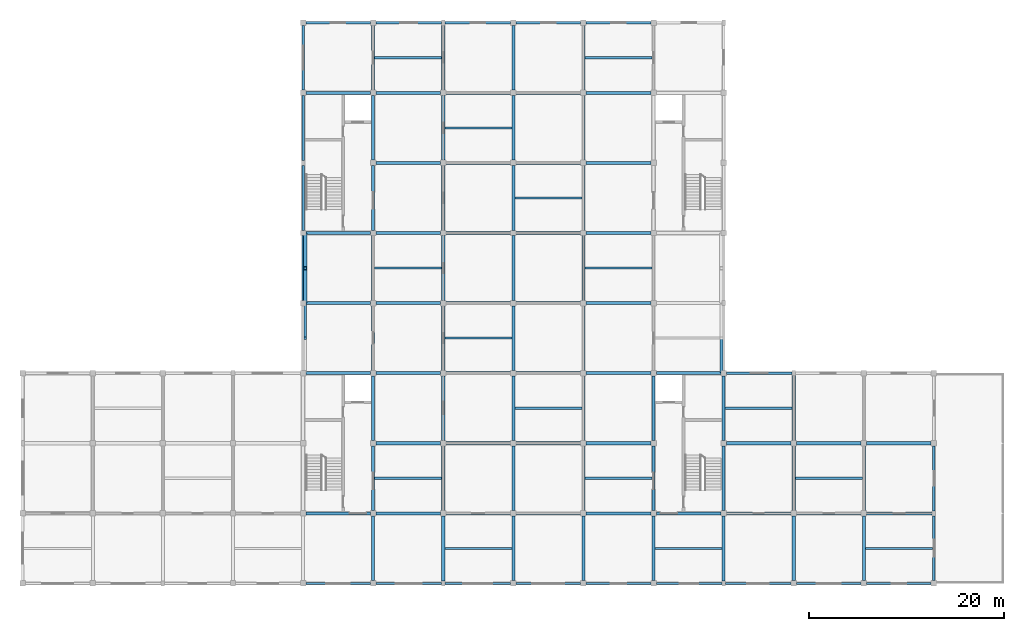
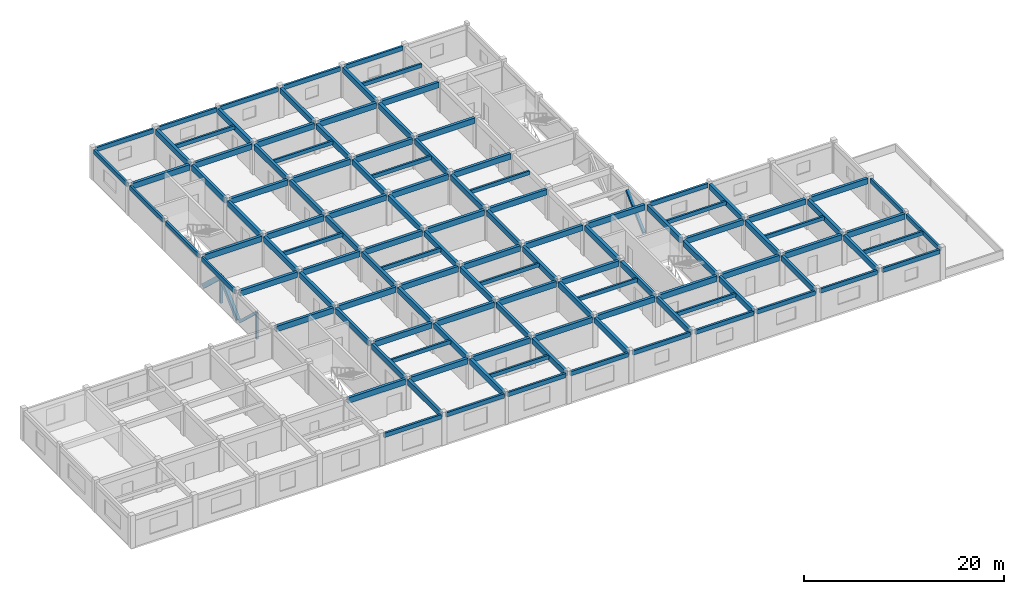
# One storey, part 2 of 10: 120 beams, 6 members.
"""IFC4 building model written with IfcOpenShell, lengths in metres."""

import ifcopenshell
import ifcopenshell.guid

model = None  # the IFC model being written
_history = None  # IfcOwnerHistory: only IFC2X3 demands one
_inside = {}  # id of a spatial element -> (the spatial element, [elements in it])
_under = {}  # id of a project, library or spatial element -> (it, [spatial elements below it])
_declared = {}  # id of a project -> (the project, [libraries it declares])
_typed = {}  # id of a type object -> (the type object, [elements of that type])
_made_of = {}  # id of a material, layer set ... -> (it, [elements and type objects made of it])


def new_model(schema):
    """Start an empty IFC model of exactly this schema.

    Asked for "IFC4X3", IfcOpenShell would pick the latest addendum, in which some entities
    have other attributes; the version numbers below select the first issue.
    IFC2X3 requires an IfcOwnerHistory on every rooted entity: one is made here for all.
    """
    global model, _history
    if schema == "IFC4X3":
        model = ifcopenshell.file(schema_version=(4, 3, 0, 0))
    else:
        model = ifcopenshell.file(schema=schema)
    _inside.clear()
    _under.clear()
    _declared.clear()
    _typed.clear()
    _made_of.clear()
    _history = None
    if model.schema == "IFC2X3":
        org = make("IfcOrganization", Name="unknown")
        user = make(
            "IfcPersonAndOrganization",
            ThePerson=make("IfcPerson", FamilyName="unknown"),
            TheOrganization=org,
        )
        app = make(
            "IfcApplication",
            ApplicationDeveloper=org,
            Version="unknown",
            ApplicationFullName="unknown",
            ApplicationIdentifier="unknown",
        )
        _history = make(
            "IfcOwnerHistory",
            OwningUser=user,
            OwningApplication=app,
            ChangeAction="ADDED",
            CreationDate=0,
        )
    return model


def make(cls, **values):
    """One entity of the class cls with the attributes given. An attribute that is None is left unset."""
    return model.create_entity(
        cls, **{name: value for name, value in values.items() if value is not None}
    )


def rooted(cls, **values):
    """An entity with a GlobalId (a new one), such as an element, a storey or a relation."""
    return make(cls, GlobalId=ifcopenshell.guid.new(), OwnerHistory=_history, **values)


def si_unit(unit_type, name, prefix=None):
    """IfcSIUnit, for example si_unit("LENGTHUNIT", "METRE", prefix="MILLI")."""
    return make("IfcSIUnit", UnitType=unit_type, Prefix=prefix, Name=name)


def assignment(units):
    """IfcUnitAssignment: the units of a project."""
    return None if units is None else make("IfcUnitAssignment", Units=units)


def point(xyz):
    """IfcCartesianPoint."""
    return None if xyz is None else make("IfcCartesianPoint", Coordinates=xyz)


def direction(xyz):
    """IfcDirection."""
    return None if xyz is None else make("IfcDirection", DirectionRatios=xyz)


def frame(location, z_axis=None, x_axis=None):
    """IfcAxis2Placement3D, a coordinate frame: its origin and axes. An axis left out is left unset."""
    return make(
        "IfcAxis2Placement3D",
        Location=point(location),
        Axis=direction(z_axis),
        RefDirection=direction(x_axis),
    )


def frame_2d(location, x_axis=None):
    """IfcAxis2Placement2D, a coordinate frame in the plane: its origin and x axis."""
    return make(
        "IfcAxis2Placement2D", Location=point(location), RefDirection=direction(x_axis)
    )


def origin():
    """The frame at (0, 0, 0) with its axes left unset."""
    return frame((0.0, 0.0, 0.0))


def origin_2d():
    """The frame at (0, 0) in the plane with its x axis left unset."""
    return frame_2d((0.0, 0.0))


def place(relative_to, where):
    """IfcLocalPlacement: puts the frame where relative to a parent placement (None: the world)."""
    return make(
        "IfcLocalPlacement", PlacementRelTo=relative_to, RelativePlacement=where
    )


def context(
    kind, dimensions, precision=None, world=None, true_north=None, identifier=None
):
    """IfcGeometricRepresentationContext, for example the 3D "Model" context."""
    return make(
        "IfcGeometricRepresentationContext",
        ContextIdentifier=identifier,
        ContextType=kind,
        CoordinateSpaceDimension=dimensions,
        Precision=precision,
        WorldCoordinateSystem=world,
        TrueNorth=true_north,
    )


def subcontext(parent, identifier, kind, view, scale=None):
    """IfcGeometricRepresentationSubContext, for example "Body" below "Model"."""
    return make(
        "IfcGeometricRepresentationSubContext",
        ContextIdentifier=identifier,
        ContextType=kind,
        ParentContext=parent,
        TargetScale=scale,
        TargetView=view,
    )


def project(units=None, contexts=None):
    """IfcProject with its units and contexts."""
    return rooted(
        "IfcProject",
        Name="project",
        RepresentationContexts=contexts,
        UnitsInContext=assignment(units),
    )


def spatial(cls, under=None, at=None, **own):
    """A site, building, storey or space (cls), placed at a placement, below another one or the project."""
    s = rooted(cls, ObjectPlacement=at, **own)
    if under is not None:
        _under.setdefault(under.id(), (under, []))[1].append(s)
    return s


def profile(cls, at=None, kind="AREA", **sizes):
    """A parametric profile (cls). Its sizes go by their IFC names, for example OverallWidth=200.0."""
    return make(cls, ProfileType=kind, Position=at, **sizes)


def rectangle(**sizes):
    """IfcRectangleProfileDef."""
    return profile("IfcRectangleProfileDef", **sizes)


def extrude(swept, where, along, depth):
    """IfcExtrudedAreaSolid: the profile swept, set in the frame where, extruded along a direction by depth."""
    return make(
        "IfcExtrudedAreaSolid",
        SweptArea=swept,
        Position=where,
        ExtrudedDirection=direction(along),
        Depth=depth,
    )


def shape(context_of_items, identifier, shape_type, items):
    """IfcShapeRepresentation: the items that make up one representation, for example the "Body"."""
    return make(
        "IfcShapeRepresentation",
        ContextOfItems=context_of_items,
        RepresentationIdentifier=identifier,
        RepresentationType=shape_type,
        Items=items,
    )


def material(Name=None, Category=None):
    """IfcMaterial."""
    return make("IfcMaterial", Name=Name, Category=Category)


def material_profile(
    of_material, cross_section, Name=None, Category=None, Priority=None
):
    """IfcMaterialProfile: a cross section and its material."""
    return make(
        "IfcMaterialProfile",
        Name=Name,
        Material=of_material,
        Profile=cross_section,
        Priority=Priority,
        Category=Category,
    )


def profile_set(profiles, Name=None, composite=None):
    """IfcMaterialProfileSet."""
    return make(
        "IfcMaterialProfileSet",
        Name=Name,
        MaterialProfiles=profiles,
        CompositeProfile=composite,
    )


def made_of(thing, what):
    """Note that an element or type object is made of a material, layer set ...; save() writes the relation."""
    if what is not None:
        _made_of.setdefault(what.id(), (what, []))[1].append(thing)
    return thing


def type_object(cls, material=None, **own):
    """A type object (cls), such as IfcWallType, which elements share."""
    return made_of(rooted(cls, **own), material)


def element(
    cls,
    number,
    at=None,
    inside=None,
    cuts=None,
    type_object=None,
    material=None,
    context=None,
    identifier="Body",
    shape_type=None,
    held_by="IfcProductDefinitionShape",
    body=None,
    shapes=None,
    **own,
):
    """One element of the class cls, such as IfcWall. Its Tag is "e" and its number.

    at: its placement. inside: the storey or other place that contains it. cuts: it is an
    opening in that element (IfcRelVoidsElement). A single representation is given by context,
    identifier, shape_type and body (its items); several are given by shapes. held_by: the class
    of the entity that holds the representations. save() writes the other relations.
    """
    e = rooted(cls, Tag="e%d" % number, ObjectPlacement=at, **own)
    if body is not None:
        shapes = [shape(context, identifier, shape_type, body)]
    if shapes is not None:
        e.Representation = make(held_by, Representations=shapes)
    if inside is not None:
        _inside.setdefault(inside.id(), (inside, []))[1].append(e)
    if cuts is not None:
        rooted(
            "IfcRelVoidsElement", RelatingBuildingElement=cuts, RelatedOpeningElement=e
        )
    if type_object is not None:
        _typed.setdefault(type_object.id(), (type_object, []))[1].append(e)
    return made_of(e, material)


def aggregate(whole, parts):
    """IfcRelAggregates: a whole, such as a stair, and the parts it consists of."""
    return rooted("IfcRelAggregates", RelatingObject=whole, RelatedObjects=parts)


def save(model, path):
    """Write the relations noted so far, then the file.

    IfcRelAggregates (storeys below a building ...), IfcRelContainedInSpatialStructure (elements
    in a storey), IfcRelDefinesByType, IfcRelAssociatesMaterial and IfcRelDeclares: one each for
    every whole, place, type object, material and project.
    """
    for whole, parts in _under.values():
        aggregate(whole, parts)
    for where, things in _inside.values():
        rooted(
            "IfcRelContainedInSpatialStructure",
            RelatedElements=things,
            RelatingStructure=where,
        )
    for kind, things in _typed.values():
        rooted("IfcRelDefinesByType", RelatedObjects=things, RelatingType=kind)
    for what, things in _made_of.values():
        rooted("IfcRelAssociatesMaterial", RelatedObjects=things, RelatingMaterial=what)
    for by, libraries in _declared.values():
        rooted("IfcRelDeclares", RelatingContext=by, RelatedDefinitions=libraries)
    model.write(path)


model = new_model("IFC4")

# Units and contexts
model_context = context("Model", 3, precision=1e-05, world=origin(), true_north=direction((0.0, 1.0)))
body_context = subcontext(model_context, "Body", "Model", "MODEL_VIEW")
ifc_project = project(units=[si_unit("LENGTHUNIT", "METRE"), si_unit("AREAUNIT", "SQUARE_METRE"), si_unit("VOLUMEUNIT", "CUBIC_METRE"), si_unit("PLANEANGLEUNIT", "RADIAN"), si_unit("MASSUNIT", "GRAM", prefix="KILO")], contexts=[model_context])

# Site, building, storey
site_placement = place(None, origin())
site = spatial("IfcSite", under=ifc_project, at=site_placement, CompositionType="ELEMENT")
building_placement = place(site_placement, origin())
building = spatial("IfcBuilding", under=site, at=building_placement, Name="Cendaluz Park School", CompositionType="ELEMENT")
storey_placement = place(building_placement, frame((0.0, 0.0, 34.800048828125)))
storey = spatial("IfcBuildingStorey", under=building, at=storey_placement, Name="L08", CompositionType="ELEMENT", Elevation=34.800048828125)

# Beams
ifc_material_1 = material(Name="Glulam GL28h", Category="wood")
ifc_material_profile_1 = material_profile(ifc_material_1, rectangle(XDim=0.320068359375, YDim=0.679931640625, at=origin_2d()), Name="GL28h 320x680", Category="wood")
ifc_profile_set_1 = profile_set([ifc_material_profile_1], Name="Glulam GL28h")
beam_type_1 = type_object("IfcBeamType", Name="BM-GL01", PredefinedType="BEAM", material=ifc_profile_set_1)
for number, where, z_axis, x_axis, name in (
    (1, (65.080078125, 14.39990234375, 3.369873046875), (1.0, 0.0, 0.0), (0.0, 1.0, 0.0), "BM-L08-BMGL01-0018"),
    (2, (65.080078125, 28.800048828125, 3.369873046875), (1.0, 0.0, 0.0), (0.0, 1.0, 0.0), "BM-L08-BMGL01-0019"),
    (3, (65.080078125, 36.0, 3.369873046875), (1.0, 0.0, 0.0), (0.0, 1.0, 0.0), "BM-L08-BMGL01-0020"),
    (4, (65.080078125, 43.199951171875, 3.369873046875), (1.0, 0.0, 0.0), (0.0, 1.0, 0.0), "BM-L08-BMGL01-0021"),
    (5, (65.080078125, 57.60009765625, 3.369873046875), (1.0, 0.0, 0.0), (0.0, 1.0, 0.0), "BM-L08-BMGL01-0022"),
    (6, (72.280029296875, 14.39990234375, 3.369873046875), (1.0, 0.0, 0.0), (0.0, 1.0, 0.0), "BM-L08-BMGL01-0025"),
    (7, (72.280029296875, 21.60009765625, 3.369873046875), (1.0, 0.0, 0.0), (0.0, 1.0, 0.0), "BM-L08-BMGL01-0026"),
    (8, (72.280029296875, 28.800048828125, 3.369873046875), (1.0, 0.0, 0.0), (0.0, 1.0, 0.0), "BM-L08-BMGL01-0027"),
    (9, (72.280029296875, 36.0, 3.369873046875), (1.0, 0.0, 0.0), (0.0, 1.0, 0.0), "BM-L08-BMGL01-0028"),
    (10, (72.280029296875, 43.199951171875, 3.369873046875), (1.0, 0.0, 0.0), (0.0, 1.0, 0.0), "BM-L08-BMGL01-0029"),
    (11, (72.280029296875, 50.39990234375, 3.369873046875), (1.0, 0.0, 0.0), (0.0, 1.0, 0.0), "BM-L08-BMGL01-0030"),
    (12, (72.280029296875, 57.60009765625, 3.369873046875), (1.0, 0.0, 0.0), (0.0, 1.0, 0.0), "BM-L08-BMGL01-0031"),
):
    element("IfcBeam", number, at=place(storey_placement, frame(where, z_axis=z_axis, x_axis=x_axis)), inside=storey, type_object=beam_type_1, Name=name, PredefinedType="BEAM", context=body_context, shape_type="SweptSolid", body=[
        extrude(rectangle(XDim=0.320068359375, YDim=0.679931640625, at=origin_2d()), origin(), (0.0, 0.0, 1.0), 6.639892578125),
    ])
for number, where, z_axis, x_axis, name in (
    (13, (79.47998046875, 14.39990234375, 3.369873046875), (1.0, 0.0, 0.0), (0.0, 1.0, 0.0), "BM-L08-BMGL01-0034"),
    (14, (79.47998046875, 21.60009765625, 3.369873046875), (1.0, 0.0, 0.0), (0.0, 1.0, 0.0), "BM-L08-BMGL01-0035"),
    (15, (79.47998046875, 28.800048828125, 3.369873046875), (1.0, 0.0, 0.0), (0.0, 1.0, 0.0), "BM-L08-BMGL01-0036"),
    (16, (79.47998046875, 36.0, 3.369873046875), (1.0, 0.0, 0.0), (0.0, 1.0, 0.0), "BM-L08-BMGL01-0037"),
    (17, (79.47998046875, 43.199951171875, 3.369873046875), (1.0, 0.0, 0.0), (0.0, 1.0, 0.0), "BM-L08-BMGL01-0038"),
    (18, (79.47998046875, 50.39990234375, 3.369873046875), (1.0, 0.0, 0.0), (0.0, 1.0, 0.0), "BM-L08-BMGL01-0039"),
    (19, (79.47998046875, 57.60009765625, 3.369873046875), (1.0, 0.0, 0.0), (0.0, 1.0, 0.0), "BM-L08-BMGL01-0040"),
    (20, (86.679931640625, 14.39990234375, 3.369873046875), (1.0, 0.0, 0.0), (0.0, 1.0, 0.0), "BM-L08-BMGL01-0043"),
    (21, (86.679931640625, 21.60009765625, 3.369873046875), (1.0, 0.0, 0.0), (0.0, 1.0, 0.0), "BM-L08-BMGL01-0044"),
    (22, (86.679931640625, 28.800048828125, 3.369873046875), (1.0, 0.0, 0.0), (0.0, 1.0, 0.0), "BM-L08-BMGL01-0045"),
    (23, (86.679931640625, 36.0, 3.369873046875), (1.0, 0.0, 0.0), (0.0, 1.0, 0.0), "BM-L08-BMGL01-0046"),
    (24, (86.679931640625, 43.199951171875, 3.369873046875), (1.0, 0.0, 0.0), (0.0, 1.0, 0.0), "BM-L08-BMGL01-0047"),
    (25, (86.679931640625, 50.39990234375, 3.369873046875), (1.0, 0.0, 0.0), (0.0, 1.0, 0.0), "BM-L08-BMGL01-0048"),
    (26, (86.679931640625, 57.60009765625, 3.369873046875), (1.0, 0.0, 0.0), (0.0, 1.0, 0.0), "BM-L08-BMGL01-0049"),
    (27, (93.8798828125, 14.39990234375, 3.369873046875), (1.0, 0.0, 0.0), (0.0, 1.0, 0.0), "BM-L08-BMGL01-0052"),
    (28, (93.8798828125, 21.60009765625, 3.369873046875), (1.0, 0.0, 0.0), (0.0, 1.0, 0.0), "BM-L08-BMGL01-0053"),
    (29, (93.8798828125, 28.800048828125, 3.369873046875), (1.0, 0.0, 0.0), (0.0, 1.0, 0.0), "BM-L08-BMGL01-0054"),
    (30, (93.8798828125, 36.0, 3.369873046875), (1.0, 0.0, 0.0), (0.0, 1.0, 0.0), "BM-L08-BMGL01-0055"),
    (31, (93.8798828125, 43.199951171875, 3.369873046875), (1.0, 0.0, 0.0), (0.0, 1.0, 0.0), "BM-L08-BMGL01-0056"),
    (32, (93.8798828125, 50.39990234375, 3.369873046875), (1.0, 0.0, 0.0), (0.0, 1.0, 0.0), "BM-L08-BMGL01-0057"),
    (33, (93.8798828125, 57.60009765625, 3.369873046875), (1.0, 0.0, 0.0), (0.0, 1.0, 0.0), "BM-L08-BMGL01-0058"),
):
    element("IfcBeam", number, at=place(storey_placement, frame(where, z_axis=z_axis, x_axis=x_axis)), inside=storey, type_object=beam_type_1, Name=name, PredefinedType="BEAM", context=body_context, shape_type="SweptSolid", body=[
        extrude(rectangle(XDim=0.320068359375, YDim=0.679931640625, at=origin_2d()), origin(), (0.0, 0.0, 1.0), 6.64013671875),
    ])
for number, where, z_axis, x_axis, name in (
    (34, (101.080078125, 14.39990234375, 3.369873046875), (1.0, 0.0, 0.0), (0.0, 1.0, 0.0), "BM-L08-BMGL01-0061"),
    (35, (101.080078125, 28.800048828125, 3.369873046875), (1.0, 0.0, 0.0), (0.0, 1.0, 0.0), "BM-L08-BMGL01-0062"),
    (36, (108.280029296875, 14.39990234375, 3.369873046875), (1.0, 0.0, 0.0), (0.0, 1.0, 0.0), "BM-L08-BMGL01-0068"),
    (37, (108.280029296875, 21.60009765625, 3.369873046875), (1.0, 0.0, 0.0), (0.0, 1.0, 0.0), "BM-L08-BMGL01-0069"),
):
    element("IfcBeam", number, at=place(storey_placement, frame(where, z_axis=z_axis, x_axis=x_axis)), inside=storey, type_object=beam_type_1, Name=name, PredefinedType="BEAM", context=body_context, shape_type="SweptSolid", body=[
        extrude(rectangle(XDim=0.320068359375, YDim=0.679931640625, at=origin_2d()), origin(), (0.0, 0.0, 1.0), 6.639892578125),
    ])
for number, where, z_axis, x_axis, name in (
    (38, (115.47998046875, 14.39990234375, 3.369873046875), (1.0, 0.0, 0.0), (0.0, 1.0, 0.0), "BM-L08-BMGL01-0072"),
    (39, (115.47998046875, 21.60009765625, 3.369873046875), (1.0, 0.0, 0.0), (0.0, 1.0, 0.0), "BM-L08-BMGL01-0073"),
):
    element("IfcBeam", number, at=place(storey_placement, frame(where, z_axis=z_axis, x_axis=x_axis)), inside=storey, type_object=beam_type_1, Name=name, PredefinedType="BEAM", context=body_context, shape_type="SweptSolid", body=[
        extrude(rectangle(XDim=0.320068359375, YDim=0.679931640625, at=origin_2d()), origin(), (0.0, 0.0, 1.0), 6.64013671875),
    ])
beam_1_placement = place(storey_placement, frame((122.679931640625, 14.39990234375, 3.369873046875), z_axis=(1.0, 0.0, 0.0), x_axis=(0.0, 1.0, 0.0)))
element("IfcBeam", 40, at=beam_1_placement, inside=storey, type_object=beam_type_1, Name="BM-L08-BMGL01-0076", PredefinedType="BEAM", context=body_context, shape_type="SweptSolid", body=[
    extrude(rectangle(XDim=0.320068359375, YDim=0.679931640625, at=origin_2d()), origin(), (0.0, 0.0, 1.0), 6.739990234375),
])
for number, where, z_axis, x_axis, name in (
    (41, (122.679931640625, 21.60009765625, 3.369873046875), (1.0, 0.0, 0.0), (0.0, 1.0, 0.0), "BM-L08-BMGL01-0077"),
    (42, (72.0, 7.47998046875, 3.369873046875), (0.0, 1.0, 0.0), (-1.0, 0.0, 0.0), "BM-L08-BMGL01-0099"),
    (43, (72.0, 14.679931640625, 3.369873046875), (0.0, 1.0, 0.0), (-1.0, 0.0, 0.0), "BM-L08-BMGL01-0100"),
    (44, (72.0, 21.8798828125, 3.369873046875), (0.0, 1.0, 0.0), (-1.0, 0.0, 0.0), "BM-L08-BMGL01-0101"),
):
    element("IfcBeam", number, at=place(storey_placement, frame(where, z_axis=z_axis, x_axis=x_axis)), inside=storey, type_object=beam_type_1, Name=name, PredefinedType="BEAM", context=body_context, shape_type="SweptSolid", body=[
        extrude(rectangle(XDim=0.320068359375, YDim=0.679931640625, at=origin_2d()), origin(), (0.0, 0.0, 1.0), 6.64013671875),
    ])
for number, where, z_axis, x_axis, name in (
    (45, (72.0, 29.080078125, 3.369873046875), (0.0, 1.0, 0.0), (-1.0, 0.0, 0.0), "BM-L08-BMGL01-0102"),
    (46, (72.0, 36.280029296875, 3.369873046875), (0.0, 1.0, 0.0), (-1.0, 0.0, 0.0), "BM-L08-BMGL01-0103"),
):
    element("IfcBeam", number, at=place(storey_placement, frame(where, z_axis=z_axis, x_axis=x_axis)), inside=storey, type_object=beam_type_1, Name=name, PredefinedType="BEAM", context=body_context, shape_type="SweptSolid", body=[
        extrude(rectangle(XDim=0.320068359375, YDim=0.679931640625, at=origin_2d()), origin(), (0.0, 0.0, 1.0), 6.639892578125),
    ])
for number, where, z_axis, x_axis, name in (
    (47, (72.0, 43.47998046875, 3.369873046875), (0.0, 1.0, 0.0), (-1.0, 0.0, 0.0), "BM-L08-BMGL01-0104"),
    (48, (72.0, 50.679931640625, 3.369873046875), (0.0, 1.0, 0.0), (-1.0, 0.0, 0.0), "BM-L08-BMGL01-0105"),
    (49, (72.0, 57.8798828125, 3.369873046875), (0.0, 1.0, 0.0), (-1.0, 0.0, 0.0), "BM-L08-BMGL01-0106"),
):
    element("IfcBeam", number, at=place(storey_placement, frame(where, z_axis=z_axis, x_axis=x_axis)), inside=storey, type_object=beam_type_1, Name=name, PredefinedType="BEAM", context=body_context, shape_type="SweptSolid", body=[
        extrude(rectangle(XDim=0.320068359375, YDim=0.679931640625, at=origin_2d()), origin(), (0.0, 0.0, 1.0), 6.64013671875),
    ])
beam_2_placement = place(storey_placement, frame((79.199951171875, 7.4599609375, 3.369873046875), z_axis=(0.0, 1.0, 0.0), x_axis=(-1.0, 0.0, 0.0)))
element("IfcBeam", 50, at=beam_2_placement, inside=storey, type_object=beam_type_1, Name="BM-L08-BMGL01-0107", PredefinedType="BEAM", context=body_context, shape_type="SweptSolid", body=[
    extrude(rectangle(XDim=0.320068359375, YDim=0.679931640625, at=origin_2d()), origin(), (0.0, 0.0, 1.0), 6.66015625),
])
for number, where, z_axis, x_axis, name in (
    (51, (79.199951171875, 14.679931640625, 3.369873046875), (0.0, 1.0, 0.0), (-1.0, 0.0, 0.0), "BM-L08-BMGL01-0108"),
    (52, (79.199951171875, 21.8798828125, 3.369873046875), (0.0, 1.0, 0.0), (-1.0, 0.0, 0.0), "BM-L08-BMGL01-0109"),
):
    element("IfcBeam", number, at=place(storey_placement, frame(where, z_axis=z_axis, x_axis=x_axis)), inside=storey, type_object=beam_type_1, Name=name, PredefinedType="BEAM", context=body_context, shape_type="SweptSolid", body=[
        extrude(rectangle(XDim=0.320068359375, YDim=0.679931640625, at=origin_2d()), origin(), (0.0, 0.0, 1.0), 6.64013671875),
    ])
for number, where, z_axis, x_axis, name in (
    (53, (79.199951171875, 29.080078125, 3.369873046875), (0.0, 1.0, 0.0), (-1.0, 0.0, 0.0), "BM-L08-BMGL01-0110"),
    (54, (79.199951171875, 36.280029296875, 3.369873046875), (0.0, 1.0, 0.0), (-1.0, 0.0, 0.0), "BM-L08-BMGL01-0111"),
):
    element("IfcBeam", number, at=place(storey_placement, frame(where, z_axis=z_axis, x_axis=x_axis)), inside=storey, type_object=beam_type_1, Name=name, PredefinedType="BEAM", context=body_context, shape_type="SweptSolid", body=[
        extrude(rectangle(XDim=0.320068359375, YDim=0.679931640625, at=origin_2d()), origin(), (0.0, 0.0, 1.0), 6.639892578125),
    ])
for number, where, z_axis, x_axis, name in (
    (55, (79.199951171875, 43.47998046875, 3.369873046875), (0.0, 1.0, 0.0), (-1.0, 0.0, 0.0), "BM-L08-BMGL01-0112"),
    (56, (79.199951171875, 50.679931640625, 3.369873046875), (0.0, 1.0, 0.0), (-1.0, 0.0, 0.0), "BM-L08-BMGL01-0113"),
):
    element("IfcBeam", number, at=place(storey_placement, frame(where, z_axis=z_axis, x_axis=x_axis)), inside=storey, type_object=beam_type_1, Name=name, PredefinedType="BEAM", context=body_context, shape_type="SweptSolid", body=[
        extrude(rectangle(XDim=0.320068359375, YDim=0.679931640625, at=origin_2d()), origin(), (0.0, 0.0, 1.0), 6.64013671875),
    ])
beam_3_placement = place(storey_placement, frame((79.199951171875, 57.8798828125, 3.369873046875), z_axis=(0.0, 1.0, 0.0), x_axis=(-1.0, 0.0, 0.0)))
element("IfcBeam", 57, at=beam_3_placement, inside=storey, type_object=beam_type_1, Name="BM-L08-BMGL01-0114", PredefinedType="BEAM", context=body_context, shape_type="SweptSolid", body=[
    extrude(rectangle(XDim=0.320068359375, YDim=0.679931640625, at=origin_2d()), origin(), (0.0, 0.0, 1.0), 6.66015625),
])
for number, where, z_axis, x_axis, name in (
    (58, (86.39990234375, 7.47998046875, 3.369873046875), (0.0, 1.0, 0.0), (-1.0, 0.0, 0.0), "BM-L08-BMGL01-0115"),
    (59, (86.39990234375, 14.679931640625, 3.369873046875), (0.0, 1.0, 0.0), (-1.0, 0.0, 0.0), "BM-L08-BMGL01-0116"),
    (60, (86.39990234375, 21.8798828125, 3.369873046875), (0.0, 1.0, 0.0), (-1.0, 0.0, 0.0), "BM-L08-BMGL01-0117"),
):
    element("IfcBeam", number, at=place(storey_placement, frame(where, z_axis=z_axis, x_axis=x_axis)), inside=storey, type_object=beam_type_1, Name=name, PredefinedType="BEAM", context=body_context, shape_type="SweptSolid", body=[
        extrude(rectangle(XDim=0.320068359375, YDim=0.679931640625, at=origin_2d()), origin(), (0.0, 0.0, 1.0), 6.64013671875),
    ])
for number, where, z_axis, x_axis, name in (
    (61, (86.39990234375, 29.080078125, 3.369873046875), (0.0, 1.0, 0.0), (-1.0, 0.0, 0.0), "BM-L08-BMGL01-0118"),
    (62, (86.39990234375, 36.280029296875, 3.369873046875), (0.0, 1.0, 0.0), (-1.0, 0.0, 0.0), "BM-L08-BMGL01-0119"),
):
    element("IfcBeam", number, at=place(storey_placement, frame(where, z_axis=z_axis, x_axis=x_axis)), inside=storey, type_object=beam_type_1, Name=name, PredefinedType="BEAM", context=body_context, shape_type="SweptSolid", body=[
        extrude(rectangle(XDim=0.320068359375, YDim=0.679931640625, at=origin_2d()), origin(), (0.0, 0.0, 1.0), 6.639892578125),
    ])
for number, where, z_axis, x_axis, name in (
    (63, (86.39990234375, 43.47998046875, 3.369873046875), (0.0, 1.0, 0.0), (-1.0, 0.0, 0.0), "BM-L08-BMGL01-0120"),
    (64, (86.39990234375, 50.679931640625, 3.369873046875), (0.0, 1.0, 0.0), (-1.0, 0.0, 0.0), "BM-L08-BMGL01-0121"),
    (65, (86.39990234375, 57.8798828125, 3.369873046875), (0.0, 1.0, 0.0), (-1.0, 0.0, 0.0), "BM-L08-BMGL01-0122"),
    (66, (93.60009765625, 7.47998046875, 3.369873046875), (0.0, 1.0, 0.0), (-1.0, 0.0, 0.0), "BM-L08-BMGL01-0123"),
    (67, (93.60009765625, 14.679931640625, 3.369873046875), (0.0, 1.0, 0.0), (-1.0, 0.0, 0.0), "BM-L08-BMGL01-0124"),
    (68, (93.60009765625, 21.8798828125, 3.369873046875), (0.0, 1.0, 0.0), (-1.0, 0.0, 0.0), "BM-L08-BMGL01-0125"),
):
    element("IfcBeam", number, at=place(storey_placement, frame(where, z_axis=z_axis, x_axis=x_axis)), inside=storey, type_object=beam_type_1, Name=name, PredefinedType="BEAM", context=body_context, shape_type="SweptSolid", body=[
        extrude(rectangle(XDim=0.320068359375, YDim=0.679931640625, at=origin_2d()), origin(), (0.0, 0.0, 1.0), 6.64013671875),
    ])
for number, where, z_axis, x_axis, name in (
    (69, (93.60009765625, 29.080078125, 3.369873046875), (0.0, 1.0, 0.0), (-1.0, 0.0, 0.0), "BM-L08-BMGL01-0126"),
    (70, (93.60009765625, 36.280029296875, 3.369873046875), (0.0, 1.0, 0.0), (-1.0, 0.0, 0.0), "BM-L08-BMGL01-0127"),
):
    element("IfcBeam", number, at=place(storey_placement, frame(where, z_axis=z_axis, x_axis=x_axis)), inside=storey, type_object=beam_type_1, Name=name, PredefinedType="BEAM", context=body_context, shape_type="SweptSolid", body=[
        extrude(rectangle(XDim=0.320068359375, YDim=0.679931640625, at=origin_2d()), origin(), (0.0, 0.0, 1.0), 6.639892578125),
    ])
for number, where, z_axis, x_axis, name in (
    (71, (93.60009765625, 43.47998046875, 3.369873046875), (0.0, 1.0, 0.0), (-1.0, 0.0, 0.0), "BM-L08-BMGL01-0128"),
    (72, (93.60009765625, 50.679931640625, 3.369873046875), (0.0, 1.0, 0.0), (-1.0, 0.0, 0.0), "BM-L08-BMGL01-0129"),
    (73, (93.60009765625, 57.8798828125, 3.369873046875), (0.0, 1.0, 0.0), (-1.0, 0.0, 0.0), "BM-L08-BMGL01-0130"),
    (74, (100.800048828125, 7.47998046875, 3.369873046875), (0.0, 1.0, 0.0), (-1.0, 0.0, 0.0), "BM-L08-BMGL01-0131"),
    (75, (100.800048828125, 14.679931640625, 3.369873046875), (0.0, 1.0, 0.0), (-1.0, 0.0, 0.0), "BM-L08-BMGL01-0132"),
    (76, (100.800048828125, 21.8798828125, 3.369873046875), (0.0, 1.0, 0.0), (-1.0, 0.0, 0.0), "BM-L08-BMGL01-0133"),
):
    element("IfcBeam", number, at=place(storey_placement, frame(where, z_axis=z_axis, x_axis=x_axis)), inside=storey, type_object=beam_type_1, Name=name, PredefinedType="BEAM", context=body_context, shape_type="SweptSolid", body=[
        extrude(rectangle(XDim=0.320068359375, YDim=0.679931640625, at=origin_2d()), origin(), (0.0, 0.0, 1.0), 6.64013671875),
    ])
beam_4_placement = place(storey_placement, frame((108.0, 7.4599609375, 3.369873046875), z_axis=(0.0, 1.0, 0.0), x_axis=(-1.0, 0.0, 0.0)))
element("IfcBeam", 77, at=beam_4_placement, inside=storey, type_object=beam_type_1, Name="BM-L08-BMGL01-0139", PredefinedType="BEAM", context=body_context, shape_type="SweptSolid", body=[
    extrude(rectangle(XDim=0.320068359375, YDim=0.679931640625, at=origin_2d()), origin(), (0.0, 0.0, 1.0), 6.66015625),
])
for number, where, z_axis, x_axis, name in (
    (78, (108.0, 14.679931640625, 3.369873046875), (0.0, 1.0, 0.0), (-1.0, 0.0, 0.0), "BM-L08-BMGL01-0140"),
    (79, (108.0, 21.8798828125, 3.369873046875), (0.0, 1.0, 0.0), (-1.0, 0.0, 0.0), "BM-L08-BMGL01-0141"),
    (80, (115.199951171875, 7.47998046875, 3.369873046875), (0.0, 1.0, 0.0), (-1.0, 0.0, 0.0), "BM-L08-BMGL01-0147"),
    (81, (115.199951171875, 14.679931640625, 3.369873046875), (0.0, 1.0, 0.0), (-1.0, 0.0, 0.0), "BM-L08-BMGL01-0148"),
):
    element("IfcBeam", number, at=place(storey_placement, frame(where, z_axis=z_axis, x_axis=x_axis)), inside=storey, type_object=beam_type_1, Name=name, PredefinedType="BEAM", context=body_context, shape_type="SweptSolid", body=[
        extrude(rectangle(XDim=0.320068359375, YDim=0.679931640625, at=origin_2d()), origin(), (0.0, 0.0, 1.0), 6.64013671875),
    ])
beam_5_placement = place(storey_placement, frame((115.199951171875, 21.8798828125, 3.369873046875), z_axis=(0.0, 1.0, 0.0), x_axis=(-1.0, 0.0, 0.0)))
element("IfcBeam", 82, at=beam_5_placement, inside=storey, type_object=beam_type_1, Name="BM-L08-BMGL01-0149", PredefinedType="BEAM", context=body_context, shape_type="SweptSolid", body=[
    extrude(rectangle(XDim=0.320068359375, YDim=0.679931640625, at=origin_2d()), origin(), (0.0, 0.0, 1.0), 6.66015625),
])
for number, where, z_axis, x_axis, name in (
    (83, (122.39990234375, 7.47998046875, 3.369873046875), (0.0, 1.0, 0.0), (-1.0, 0.0, 0.0), "BM-L08-BMGL01-0150"),
    (84, (122.39990234375, 14.679931640625, 3.369873046875), (0.0, 1.0, 0.0), (-1.0, 0.0, 0.0), "BM-L08-BMGL01-0151"),
):
    element("IfcBeam", number, at=place(storey_placement, frame(where, z_axis=z_axis, x_axis=x_axis)), inside=storey, type_object=beam_type_1, Name=name, PredefinedType="BEAM", context=body_context, shape_type="SweptSolid", body=[
        extrude(rectangle(XDim=0.320068359375, YDim=0.679931640625, at=origin_2d()), origin(), (0.0, 0.0, 1.0), 6.64013671875),
    ])
ifc_material_profile_2 = material_profile(ifc_material_1, rectangle(XDim=0.239990234375, YDim=0.52001953125, at=origin_2d()), Name="GL28h 240x520", Category="wood")
ifc_profile_set_2 = profile_set([ifc_material_profile_2], Name="Glulam GL28h")
beam_type_2 = type_object("IfcBeamType", Name="BM-GL03", PredefinedType="SPANDREL", material=ifc_profile_set_2)
for number, where, z_axis, x_axis, name in (
    (85, (65.080078125, 7.199951171875, 3.449951171875), (1.0, 0.0, 0.0), (0.0, 1.0, 0.0), "BM-L08-BMGL03-0017"),
    (86, (65.080078125, 64.800048828125, 3.449951171875), (1.0, 0.0, 0.0), (0.0, 1.0, 0.0), "BM-L08-BMGL03-0023"),
):
    element("IfcBeam", number, at=place(storey_placement, frame(where, z_axis=z_axis, x_axis=x_axis)), inside=storey, type_object=beam_type_2, Name=name, PredefinedType="SPANDREL", context=body_context, shape_type="SweptSolid", body=[
        extrude(rectangle(XDim=0.239990234375, YDim=0.52001953125, at=origin_2d()), origin(), (0.0, 0.0, 1.0), 6.639892578125),
    ])
for number, where, z_axis, x_axis, name in (
    (87, (72.280029296875, 7.199951171875, 3.449951171875), (1.0, 0.0, 0.0), (0.0, 1.0, 0.0), "BM-L08-BMGL03-0024"),
    (88, (72.280029296875, 64.800048828125, 3.449951171875), (1.0, 0.0, 0.0), (0.0, 1.0, 0.0), "BM-L08-BMGL03-0032"),
):
    element("IfcBeam", number, at=place(storey_placement, frame(where, z_axis=z_axis, x_axis=x_axis)), inside=storey, type_object=beam_type_2, Name=name, PredefinedType="SPANDREL", context=body_context, shape_type="SweptSolid", body=[
        extrude(rectangle(XDim=0.239990234375, YDim=0.52001953125, at=origin_2d()), origin(), (0.0, 0.0, 1.0), 6.739990234375),
    ])
for number, where, z_axis, x_axis, name in (
    (89, (79.3798828125, 7.199951171875, 3.449951171875), (1.0, 0.0, 0.0), (0.0, 1.0, 0.0), "BM-L08-BMGL03-0033"),
    (90, (79.3798828125, 64.800048828125, 3.449951171875), (1.0, 0.0, 0.0), (0.0, 1.0, 0.0), "BM-L08-BMGL03-0041"),
):
    element("IfcBeam", number, at=place(storey_placement, frame(where, z_axis=z_axis, x_axis=x_axis)), inside=storey, type_object=beam_type_2, Name=name, PredefinedType="SPANDREL", context=body_context, shape_type="SweptSolid", body=[
        extrude(rectangle(XDim=0.239990234375, YDim=0.52001953125, at=origin_2d()), origin(), (0.0, 0.0, 1.0), 6.740234375),
    ])
for number, where, z_axis, x_axis, name in (
    (91, (86.679931640625, 7.199951171875, 3.449951171875), (1.0, 0.0, 0.0), (0.0, 1.0, 0.0), "BM-L08-BMGL03-0042"),
    (92, (86.679931640625, 64.800048828125, 3.449951171875), (1.0, 0.0, 0.0), (0.0, 1.0, 0.0), "BM-L08-BMGL03-0050"),
    (93, (93.8798828125, 7.199951171875, 3.449951171875), (1.0, 0.0, 0.0), (0.0, 1.0, 0.0), "BM-L08-BMGL03-0051"),
    (94, (93.8798828125, 64.800048828125, 3.449951171875), (1.0, 0.0, 0.0), (0.0, 1.0, 0.0), "BM-L08-BMGL03-0059"),
):
    element("IfcBeam", number, at=place(storey_placement, frame(where, z_axis=z_axis, x_axis=x_axis)), inside=storey, type_object=beam_type_2, Name=name, PredefinedType="SPANDREL", context=body_context, shape_type="SweptSolid", body=[
        extrude(rectangle(XDim=0.239990234375, YDim=0.52001953125, at=origin_2d()), origin(), (0.0, 0.0, 1.0), 6.64013671875),
    ])
for number, where, z_axis, x_axis, name in (
    (95, (101.080078125, 7.199951171875, 3.449951171875), (1.0, 0.0, 0.0), (0.0, 1.0, 0.0), "BM-L08-BMGL03-0060"),
    (96, (108.179931640625, 7.199951171875, 3.449951171875), (1.0, 0.0, 0.0), (0.0, 1.0, 0.0), "BM-L08-BMGL03-0067"),
    (97, (108.280029296875, 28.800048828125, 3.449951171875), (1.0, 0.0, 0.0), (0.0, 1.0, 0.0), "BM-L08-BMGL03-0070"),
):
    element("IfcBeam", number, at=place(storey_placement, frame(where, z_axis=z_axis, x_axis=x_axis)), inside=storey, type_object=beam_type_2, Name=name, PredefinedType="SPANDREL", context=body_context, shape_type="SweptSolid", body=[
        extrude(rectangle(XDim=0.239990234375, YDim=0.52001953125, at=origin_2d()), origin(), (0.0, 0.0, 1.0), 6.739990234375),
    ])
for number, where, z_axis, x_axis, name in (
    (98, (115.47998046875, 7.199951171875, 3.449951171875), (1.0, 0.0, 0.0), (0.0, 1.0, 0.0), "BM-L08-BMGL03-0071"),
    (99, (122.679931640625, 7.199951171875, 3.449951171875), (1.0, 0.0, 0.0), (0.0, 1.0, 0.0), "BM-L08-BMGL03-0075"),
):
    element("IfcBeam", number, at=place(storey_placement, frame(where, z_axis=z_axis, x_axis=x_axis)), inside=storey, type_object=beam_type_2, Name=name, PredefinedType="SPANDREL", context=body_context, shape_type="SweptSolid", body=[
        extrude(rectangle(XDim=0.239990234375, YDim=0.52001953125, at=origin_2d()), origin(), (0.0, 0.0, 1.0), 6.64013671875),
    ])
beam_6_placement = place(storey_placement, frame((64.800048828125, 36.280029296875, 3.449951171875), z_axis=(0.0, 1.0, 0.0), x_axis=(-1.0, 0.0, 0.0)))
element("IfcBeam", 100, at=beam_6_placement, inside=storey, type_object=beam_type_2, Name="BM-L08-BMGL03-0095", PredefinedType="SPANDREL", context=body_context, shape_type="SweptSolid", body=[
    extrude(rectangle(XDim=0.239990234375, YDim=0.52001953125, at=origin_2d()), origin(), (0.0, 0.0, 1.0), 6.639892578125),
])
beam_7_placement = place(storey_placement, frame((64.800048828125, 43.47998046875, 3.449951171875), z_axis=(0.0, 1.0, 0.0), x_axis=(-1.0, 0.0, 0.0)))
element("IfcBeam", 101, at=beam_7_placement, inside=storey, type_object=beam_type_2, Name="BM-L08-BMGL03-0096", PredefinedType="SPANDREL", context=body_context, shape_type="SweptSolid", body=[
    extrude(rectangle(XDim=0.239990234375, YDim=0.52001953125, at=origin_2d()), origin(), (0.0, 0.0, 1.0), 6.659912109375),
])
beam_8_placement = place(storey_placement, frame((64.800048828125, 50.659912109375, 3.449951171875), z_axis=(0.0, 1.0, 0.0), x_axis=(-1.0, 0.0, 0.0)))
element("IfcBeam", 102, at=beam_8_placement, inside=storey, type_object=beam_type_2, Name="BM-L08-BMGL03-0097", PredefinedType="SPANDREL", context=body_context, shape_type="SweptSolid", body=[
    extrude(rectangle(XDim=0.239990234375, YDim=0.52001953125, at=origin_2d()), origin(), (0.0, 0.0, 1.0), 6.66015625),
])
beam_9_placement = place(storey_placement, frame((64.800048828125, 57.8798828125, 3.449951171875), z_axis=(0.0, 1.0, 0.0), x_axis=(-1.0, 0.0, 0.0)))
element("IfcBeam", 103, at=beam_9_placement, inside=storey, type_object=beam_type_2, Name="BM-L08-BMGL03-0098", PredefinedType="SPANDREL", context=body_context, shape_type="SweptSolid", body=[
    extrude(rectangle(XDim=0.239990234375, YDim=0.52001953125, at=origin_2d()), origin(), (0.0, 0.0, 1.0), 6.64013671875),
])
beam_10_placement = place(storey_placement, frame((129.60009765625, 7.47998046875, 3.449951171875), z_axis=(0.0, 1.0, 0.0), x_axis=(-1.0, 0.0, 0.0)))
element("IfcBeam", 104, at=beam_10_placement, inside=storey, type_object=beam_type_2, Name="BM-L08-BMGL03-0153", PredefinedType="SPANDREL", context=body_context, shape_type="SweptSolid", body=[
    extrude(rectangle(XDim=0.239990234375, YDim=0.52001953125, at=origin_2d()), origin(), (0.0, 0.0, 1.0), 6.659912109375),
])
beam_11_placement = place(storey_placement, frame((129.60009765625, 14.659912109375, 3.449951171875), z_axis=(0.0, 1.0, 0.0), x_axis=(-1.0, 0.0, 0.0)))
element("IfcBeam", 105, at=beam_11_placement, inside=storey, type_object=beam_type_2, Name="BM-L08-BMGL03-0154", PredefinedType="SPANDREL", context=body_context, shape_type="SweptSolid", body=[
    extrude(rectangle(XDim=0.239990234375, YDim=0.52001953125, at=origin_2d()), origin(), (0.0, 0.0, 1.0), 6.66015625),
])
ifc_material_profile_3 = material_profile(ifc_material_1, rectangle(XDim=0.219970703125, YDim=0.4599609375, at=origin_2d()), Name="GL28h 220x460", Category="wood")
ifc_profile_set_3 = profile_set([ifc_material_profile_3], Name="Glulam GL28h")
beam_type_3 = type_object("IfcBeamType", Name="JT-GL01", PredefinedType="JOIST", material=ifc_profile_set_3)
for number, where, z_axis, x_axis, name in (
    (106, (72.159912109375, 18.0, 3.47998046875), (1.0, 0.0, 0.0), (0.0, 1.0, 0.0), "BM-L08-JTGL01-0160"),
    (107, (72.159912109375, 39.60009765625, 3.47998046875), (1.0, 0.0, 0.0), (0.0, 1.0, 0.0), "BM-L08-JTGL01-0161"),
    (108, (72.159912109375, 61.199951171875, 3.47998046875), (1.0, 0.0, 0.0), (0.0, 1.0, 0.0), "BM-L08-JTGL01-0162"),
):
    element("IfcBeam", number, at=place(storey_placement, frame(where, z_axis=z_axis, x_axis=x_axis)), inside=storey, type_object=beam_type_3, Name=name, PredefinedType="JOIST", context=body_context, shape_type="SweptSolid", body=[
        extrude(rectangle(XDim=0.219970703125, YDim=0.4599609375, at=origin_2d()), origin(), (0.0, 0.0, 1.0), 6.880126953125),
    ])
for number, where, z_axis, x_axis, name in (
    (109, (79.360107421875, 10.800048828125, 3.47998046875), (1.0, 0.0, 0.0), (0.0, 1.0, 0.0), "BM-L08-JTGL01-0163"),
    (110, (79.360107421875, 32.39990234375, 3.47998046875), (1.0, 0.0, 0.0), (0.0, 1.0, 0.0), "BM-L08-JTGL01-0164"),
    (111, (79.360107421875, 54.0, 3.47998046875), (1.0, 0.0, 0.0), (0.0, 1.0, 0.0), "BM-L08-JTGL01-0165"),
    (112, (86.56005859375, 25.199951171875, 3.47998046875), (1.0, 0.0, 0.0), (0.0, 1.0, 0.0), "BM-L08-JTGL01-0166"),
    (113, (86.56005859375, 46.800048828125, 3.47998046875), (1.0, 0.0, 0.0), (0.0, 1.0, 0.0), "BM-L08-JTGL01-0167"),
    (114, (93.760009765625, 18.0, 3.47998046875), (1.0, 0.0, 0.0), (0.0, 1.0, 0.0), "BM-L08-JTGL01-0168"),
    (115, (93.760009765625, 39.60009765625, 3.47998046875), (1.0, 0.0, 0.0), (0.0, 1.0, 0.0), "BM-L08-JTGL01-0169"),
    (116, (93.760009765625, 61.199951171875, 3.47998046875), (1.0, 0.0, 0.0), (0.0, 1.0, 0.0), "BM-L08-JTGL01-0170"),
):
    element("IfcBeam", number, at=place(storey_placement, frame(where, z_axis=z_axis, x_axis=x_axis)), inside=storey, type_object=beam_type_3, Name=name, PredefinedType="JOIST", context=body_context, shape_type="SweptSolid", body=[
        extrude(rectangle(XDim=0.219970703125, YDim=0.4599609375, at=origin_2d()), origin(), (0.0, 0.0, 1.0), 6.8798828125),
    ])
for number, where, z_axis, x_axis, name in (
    (117, (100.9599609375, 10.800048828125, 3.47998046875), (1.0, 0.0, 0.0), (0.0, 1.0, 0.0), "BM-L08-JTGL01-0171"),
    (118, (108.159912109375, 25.199951171875, 3.47998046875), (1.0, 0.0, 0.0), (0.0, 1.0, 0.0), "BM-L08-JTGL01-0173"),
):
    element("IfcBeam", number, at=place(storey_placement, frame(where, z_axis=z_axis, x_axis=x_axis)), inside=storey, type_object=beam_type_3, Name=name, PredefinedType="JOIST", context=body_context, shape_type="SweptSolid", body=[
        extrude(rectangle(XDim=0.219970703125, YDim=0.4599609375, at=origin_2d()), origin(), (0.0, 0.0, 1.0), 6.880126953125),
    ])
beam_12_placement = place(storey_placement, frame((115.360107421875, 18.0, 3.47998046875), z_axis=(1.0, 0.0, 0.0), x_axis=(0.0, 1.0, 0.0)))
element("IfcBeam", 119, at=beam_12_placement, inside=storey, type_object=beam_type_3, Name="BM-L08-JTGL01-0174", PredefinedType="JOIST", context=body_context, shape_type="SweptSolid", body=[
    extrude(rectangle(XDim=0.219970703125, YDim=0.4599609375, at=origin_2d()), origin(), (0.0, 0.0, 1.0), 6.8798828125),
])
beam_13_placement = place(storey_placement, frame((122.56005859375, 10.800048828125, 3.47998046875), z_axis=(1.0, 0.0, 0.0), x_axis=(0.0, 1.0, 0.0)))
element("IfcBeam", 120, at=beam_13_placement, inside=storey, type_object=beam_type_3, Name="BM-L08-JTGL01-0175", PredefinedType="JOIST", context=body_context, shape_type="SweptSolid", body=[
    extrude(rectangle(XDim=0.219970703125, YDim=0.4599609375, at=origin_2d()), origin(), (0.0, 0.0, 1.0), 6.919921875),
])

# Members
ifc_material_2 = material(Name="Glulam GL32h", Category="wood")
ifc_material_profile_4 = material_profile(ifc_material_2, rectangle(XDim=0.300048828125, YDim=0.300048828125, at=origin_2d()), Name="GL32h 300x300", Category="wood")
ifc_profile_set_4 = profile_set([ifc_material_profile_4], Name="Glulam GL32h")
member_type_1 = type_object("IfcMemberType", Name="MBR-03", PredefinedType="BRACE", material=ifc_profile_set_4)
member_1_placement = place(storey_placement, frame((65.02001953125, 35.820068359375, 0.0), z_axis=(0.0, -0.729158896416, 0.684344433584), x_axis=(1.0, 0.0, 0.0)))
element("IfcMember", 121, at=member_1_placement, inside=storey, type_object=member_type_1, Name="MB-L08-MBBR03-0002", PredefinedType="BRACE", context=body_context, shape_type="SweptSolid", body=[
    extrude(rectangle(XDim=0.300048828125, YDim=0.300048828125, at=origin_2d()), origin(), (0.0, 0.0, 1.0), 4.690673828125),
])
member_2_placement = place(storey_placement, frame((107.780029296875, 28.97998046875, 0.0), z_axis=(0.0, 0.729134518911, 0.684370406528), x_axis=(-1.0, 0.0, 0.0)))
element("IfcMember", 122, at=member_2_placement, inside=storey, type_object=member_type_1, Name="MB-L08-MBBR03-0004", PredefinedType="BRACE", context=body_context, shape_type="SweptSolid", body=[
    extrude(rectangle(XDim=0.300048828125, YDim=0.300048828125, at=origin_2d()), origin(), (0.0, 0.0, 1.0), 4.6904296875),
])
ifc_material_profile_5 = material_profile(ifc_material_2, rectangle(XDim=0.360107421875, YDim=0.52001953125, at=origin_2d()), Name="GL32h 360x520", Category="wood")
ifc_profile_set_5 = profile_set([ifc_material_profile_5], Name="Glulam GL32h")
member_type_2 = type_object("IfcMemberType", Name="MBR-04", PredefinedType="BRACE", material=ifc_profile_set_5)
member_3_placement = place(storey_placement, frame((65.02001953125, 36.179931640625, 0.0), z_axis=(0.0, 0.729158896416, 0.684344433584), x_axis=(-1.0, 0.0, 0.0)))
element("IfcMember", 123, at=member_3_placement, inside=storey, type_object=member_type_2, Name="MB-L08-MBBR04-0007", PredefinedType="BRACE", context=body_context, shape_type="SweptSolid", body=[
    extrude(rectangle(XDim=0.360107421875, YDim=0.52001953125, at=origin_2d()), origin(), (0.0, 0.0, 1.0), 4.690673828125),
])
member_4_placement = place(storey_placement, frame((65.02001953125, 43.02001953125, 0.0), z_axis=(0.0, -0.729134518911, 0.684370406528), x_axis=(1.0, 0.0, 0.0)))
element("IfcMember", 124, at=member_4_placement, inside=storey, type_object=member_type_2, Name="MB-L08-MBBR04-0008", PredefinedType="BRACE", context=body_context, shape_type="SweptSolid", body=[
    extrude(rectangle(XDim=0.360107421875, YDim=0.52001953125, at=origin_2d()), origin(), (0.0, 0.0, 1.0), 4.6904296875),
])
ifc_material_profile_6 = material_profile(ifc_material_2, rectangle(XDim=0.260009765625, YDim=0.260009765625, at=origin_2d()), Name="GL32h 260x260", Category="wood")
ifc_profile_set_6 = profile_set([ifc_material_profile_6], Name="Glulam GL32h")
member_type_3 = type_object("IfcMemberType", Name="MST-03", PredefinedType="STRUT", material=ifc_profile_set_6)
for number, where, z_axis, x_axis, name in (
    (125, (65.02001953125, 32.39990234375, 0.0), (0.0, 0.0, 1.0), (1.0, 0.0, 0.0), "MB-L08-MBST03-0003"),
    (126, (65.02001953125, 39.60009765625, 0.0), (0.0, 0.0, 1.0), (1.0, 0.0, 0.0), "MB-L08-MBST03-0009"),
):
    element("IfcMember", number, at=place(storey_placement, frame(where, z_axis=z_axis, x_axis=x_axis)), inside=storey, type_object=member_type_3, Name=name, PredefinedType="STRUT", context=body_context, shape_type="SweptSolid", body=[
        extrude(rectangle(XDim=0.260009765625, YDim=0.260009765625, at=origin_2d()), origin(), (0.0, 0.0, 1.0), 3.2099609375),
    ])

save(model, "model.ifc")
